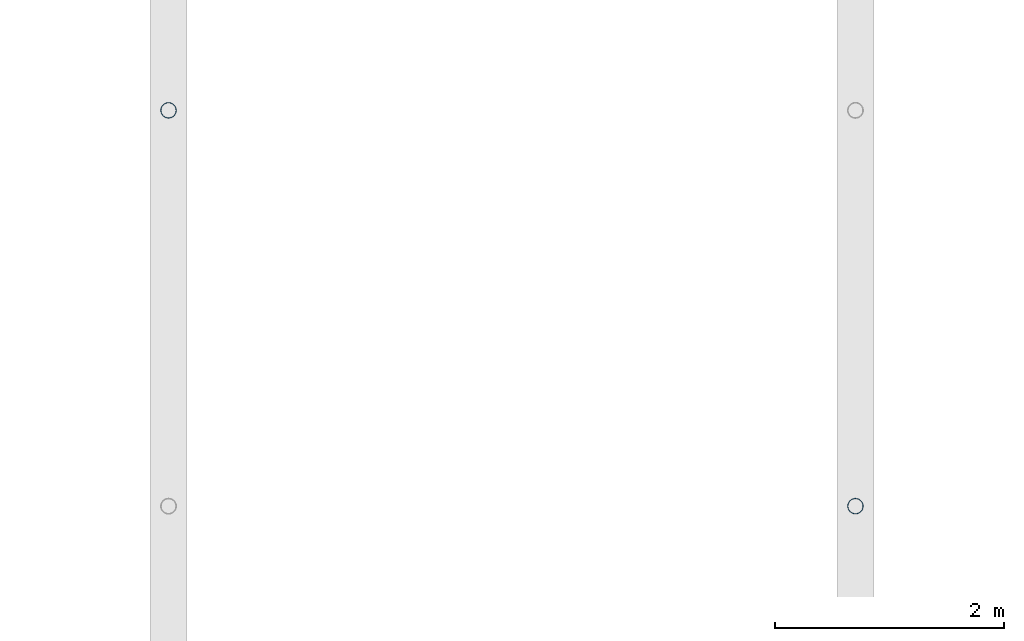
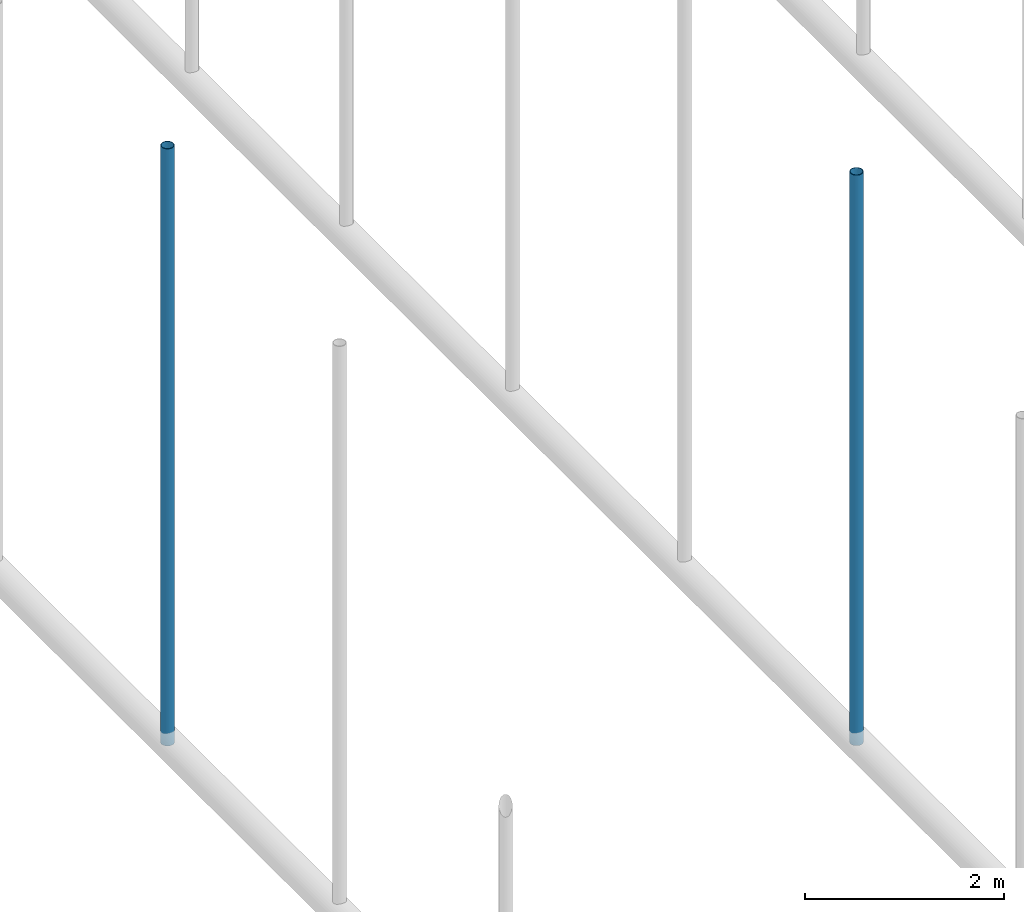
# One storey, part 49 of 116: 2 members.
"""IFC4 building model written with IfcOpenShell, lengths in metres."""

from ifc_helpers import new_model, si_unit, direction, frame, origin, origin_2d, place, context, subcontext, project, spatial, hollow_circle, extrude, material, material_profile, profile_set, type_object, element, save


model = new_model("IFC4")

# Units and contexts
model_context = context("Model", 3, precision=1e-05, world=origin(), true_north=direction((0.0, 1.0)))
body_context = subcontext(model_context, "Body", "Model", "MODEL_VIEW")
ifc_project = project(units=[si_unit("LENGTHUNIT", "METRE"), si_unit("AREAUNIT", "SQUARE_METRE"), si_unit("VOLUMEUNIT", "CUBIC_METRE"), si_unit("PLANEANGLEUNIT", "RADIAN"), si_unit("MASSUNIT", "GRAM", prefix="KILO")], contexts=[model_context])

# Site, building, storey
site_placement = place(None, origin())
site = spatial("IfcSite", under=ifc_project, at=site_placement, CompositionType="ELEMENT")
building_placement = place(site_placement, origin())
building = spatial("IfcBuilding", under=site, at=building_placement, Name="Varnakota Square Police Headquarters", CompositionType="ELEMENT")
storey_placement = place(building_placement, frame((0.0, 0.0, 9.300048828125)))
storey = spatial("IfcBuildingStorey", under=building, at=storey_placement, Name="L02", CompositionType="ELEMENT", Elevation=9.300048828125)

# Members
ifc_material = material(Name="Steel IS 2062 Grade 350", Category="steel")
ifc_material_profile = material_profile(ifc_material, hollow_circle(Radius=0.06982421875, WallThickness=0.006103515625, at=origin_2d()), Name="CHS 139.7x6.0")
ifc_profile_set = profile_set([ifc_material_profile], Name="Steel IS 2062 Grade 350")
member_type = type_object("IfcMemberType", Name="MEM-HNG-CHS139", PredefinedType="STRUT", material=ifc_profile_set)
member_1_placement = place(storey_placement, frame((78.0, 24.0, -0.150146484375), z_axis=(0.0, 0.0, 1.0), x_axis=(1.0, 0.0, 0.0)))
element("IfcMember", 1, at=member_1_placement, inside=storey, type_object=member_type, Name="Barrel vault hanger strut V1-R05-N5", PredefinedType="STRUT", context=body_context, shape_type="SweptSolid", body=[
    extrude(hollow_circle(Radius=0.06982421875, WallThickness=0.006103515625, at=origin_2d()), origin(), (0.0, 0.0, 1.0), 7.326416015625),
])
member_2_placement = place(storey_placement, frame((84.0, 20.54248046875, -0.150146484375), z_axis=(0.0, 0.0, 1.0), x_axis=(1.0, 0.0, 0.0)))
element("IfcMember", 2, at=member_2_placement, inside=storey, type_object=member_type, Name="Barrel vault hanger strut V1-R06-N4", PredefinedType="STRUT", context=body_context, shape_type="SweptSolid", body=[
    extrude(hollow_circle(Radius=0.06982421875, WallThickness=0.006103515625, at=origin_2d()), origin(), (0.0, 0.0, 1.0), 7.0),
])

save(model, "model.ifc")
